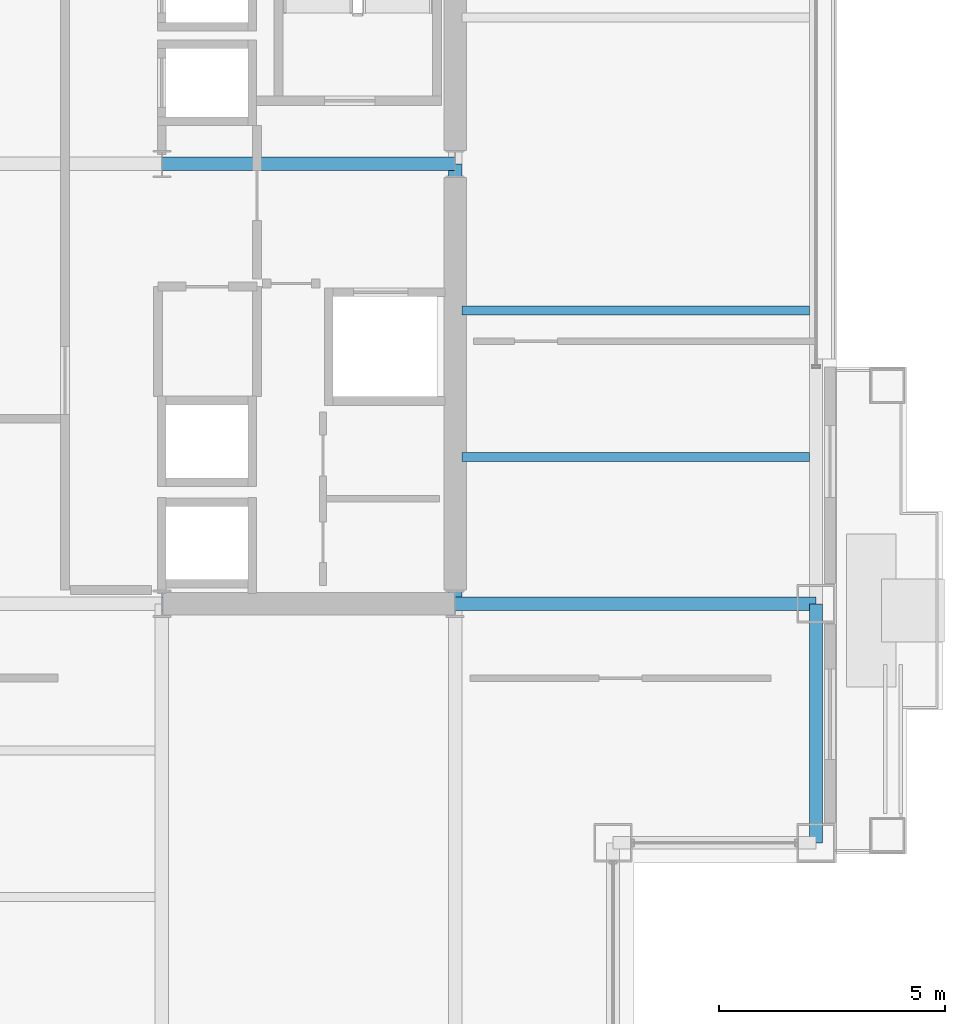
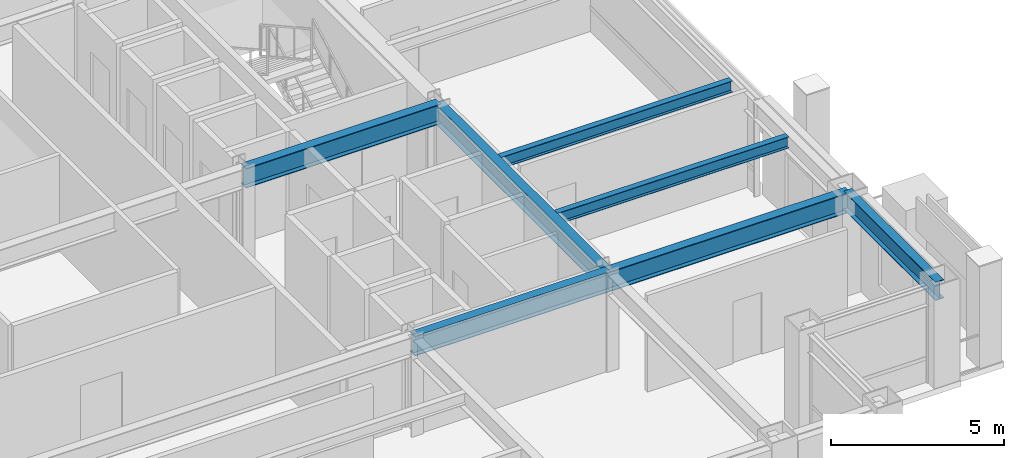
# One storey, part 13 of 30: 7 beams.
"""IFC4 building model written with IfcOpenShell, lengths in metres."""

from ifc_helpers import new_model, si_unit, direction, frame, origin, origin_2d, place, context, subcontext, project, spatial, i_section, extrude, material, material_profile, profile_set, type_object, element, save


model = new_model("IFC4")

# Units and contexts
model_context = context("Model", 3, precision=1e-05, world=origin(), true_north=direction((0.0, 1.0)))
body_context = subcontext(model_context, "Body", "Model", "MODEL_VIEW")
ifc_project = project(units=[si_unit("LENGTHUNIT", "METRE"), si_unit("AREAUNIT", "SQUARE_METRE"), si_unit("VOLUMEUNIT", "CUBIC_METRE"), si_unit("PLANEANGLEUNIT", "RADIAN"), si_unit("MASSUNIT", "GRAM", prefix="KILO")], contexts=[model_context])

# Site, building, storey
site_placement = place(None, origin())
site = spatial("IfcSite", under=ifc_project, at=site_placement, CompositionType="ELEMENT")
building_placement = place(site_placement, origin())
building = spatial("IfcBuilding", under=site, at=building_placement, Name="Brelmoor Portico Tower", CompositionType="ELEMENT")
storey_placement = place(building_placement, frame((0.0, 0.0, 102.60009765625)))
storey = spatial("IfcBuildingStorey", under=building, at=storey_placement, Name="L26", CompositionType="ELEMENT", Elevation=102.60009765625)

# Beams
ifc_material = material(Name="Steel Q355B", Category="steel")
ifc_material_profile_1 = material_profile(ifc_material, i_section(OverallWidth=0.199951171875, OverallDepth=0.39990234375, WebThickness=0.008056640625, FlangeThickness=0.012939453125, at=origin_2d()), Name="HN 400x200x8x13")
ifc_profile_set_1 = profile_set([ifc_material_profile_1], Name="Steel Q355B")
beam_type_1 = type_object("IfcBeamType", Name="BM-JS-400", PredefinedType="JOIST", material=ifc_profile_set_1)
for number, where, z_axis, x_axis, name in (
    (1, (14.699951171875, -6.5, 3.199951171875), (1.0, 0.0, 0.0), (0.0, 1.0, 0.0), "L26 Secondary Wing Joist JS-E09"),
    (2, (14.699951171875, -3.25, 3.199951171875), (1.0, 0.0, 0.0), (0.0, 1.0, 0.0), "L26 Secondary Wing Joist JS-E10"),
):
    element("IfcBeam", number, at=place(storey_placement, frame(where, z_axis=z_axis, x_axis=x_axis)), inside=storey, type_object=beam_type_1, Name=name, PredefinedType="JOIST", context=body_context, shape_type="SweptSolid", body=[
        extrude(i_section(OverallWidth=0.199951171875, OverallDepth=0.39990234375, WebThickness=0.008056640625, FlangeThickness=0.012939453125, at=origin_2d()), origin(), (0.0, 0.0, 1.0), 7.7099609375),
    ])
ifc_material_profile_2 = material_profile(ifc_material, i_section(OverallWidth=0.300048828125, OverallDepth=0.699951171875, WebThickness=0.012939453125, FlangeThickness=0.02392578125, at=origin_2d()), Name="HN 700x300x13x24")
ifc_profile_set_2 = profile_set([ifc_material_profile_2], Name="Steel Q355B")
beam_type_2 = type_object("IfcBeamType", Name="BM-PG-700", PredefinedType="BEAM", material=ifc_profile_set_2)
beam_1_placement = place(storey_placement, frame((14.550048828125, -9.75, 3.0498046875), z_axis=(0.0, 1.0, 0.0), x_axis=(-1.0, 0.0, 0.0)))
element("IfcBeam", 3, at=beam_1_placement, inside=storey, type_object=beam_type_2, Name="L26 Primary Floor Girder PG-11", PredefinedType="BEAM", context=body_context, shape_type="SweptSolid", body=[
    extrude(i_section(OverallWidth=0.300048828125, OverallDepth=0.699951171875, WebThickness=0.012939453125, FlangeThickness=0.02392578125, at=origin_2d()), origin(), (0.0, 0.0, 1.0), 9.75),
])
beam_2_placement = place(storey_placement, frame((8.050048828125, -9.75, 3.0498046875), z_axis=(1.0, 0.0, 0.0), x_axis=(0.0, 1.0, 0.0)))
element("IfcBeam", 4, at=beam_2_placement, inside=storey, type_object=beam_type_2, Name="L26 Primary Floor Girder PG-17", PredefinedType="BEAM", context=body_context, shape_type="SweptSolid", body=[
    extrude(i_section(OverallWidth=0.300048828125, OverallDepth=0.699951171875, WebThickness=0.012939453125, FlangeThickness=0.02392578125, at=origin_2d()), origin(), (0.0, 0.0, 1.0), 6.5),
])
beam_3_placement = place(storey_placement, frame((14.550048828125, -9.75, 3.0498046875), z_axis=(1.0, 0.0, 0.0), x_axis=(0.0, 1.0, 0.0)))
element("IfcBeam", 5, at=beam_3_placement, inside=storey, type_object=beam_type_2, Name="L26 Primary Floor Girder PG-18", PredefinedType="BEAM", context=body_context, shape_type="SweptSolid", body=[
    extrude(i_section(OverallWidth=0.300048828125, OverallDepth=0.699951171875, WebThickness=0.012939453125, FlangeThickness=0.02392578125, at=origin_2d()), origin(), (0.0, 0.0, 1.0), 8.0),
])
beam_4_placement = place(storey_placement, frame((8.050048828125, 0.0, 3.0498046875), z_axis=(1.0, 0.0, 0.0), x_axis=(0.0, 1.0, 0.0)))
element("IfcBeam", 6, at=beam_4_placement, inside=storey, type_object=beam_type_2, Name="L26 Primary Floor Girder PG-21", PredefinedType="BEAM", context=body_context, shape_type="SweptSolid", body=[
    extrude(i_section(OverallWidth=0.300048828125, OverallDepth=0.699951171875, WebThickness=0.012939453125, FlangeThickness=0.02392578125, at=origin_2d()), origin(), (0.0, 0.0, 1.0), 6.5),
])
ifc_material_profile_3 = material_profile(ifc_material, i_section(OverallWidth=0.280029296875, OverallDepth=0.64990234375, WebThickness=0.012939453125, FlangeThickness=0.02197265625, at=origin_2d()), Name="HN 650x280x13x22")
ifc_profile_set_3 = profile_set([ifc_material_profile_3], Name="Steel Q355B")
beam_type_3 = type_object("IfcBeamType", Name="BM-SP-650", PredefinedType="SPANDREL", material=ifc_profile_set_3)
beam_5_placement = place(storey_placement, frame((22.550048828125, -15.050048828125, 3.074951171875), z_axis=(0.0, 1.0, 0.0), x_axis=(-1.0, 0.0, 0.0)))
element("IfcBeam", 7, at=beam_5_placement, inside=storey, type_object=beam_type_3, Name="L26 Perimeter Spandrel Beam SP-22", PredefinedType="SPANDREL", context=body_context, shape_type="SweptSolid", body=[
    extrude(i_section(OverallWidth=0.280029296875, OverallDepth=0.64990234375, WebThickness=0.012939453125, FlangeThickness=0.02197265625, at=origin_2d()), origin(), (0.0, 0.0, 1.0), 5.300048828125),
])

save(model, "model.ifc")
